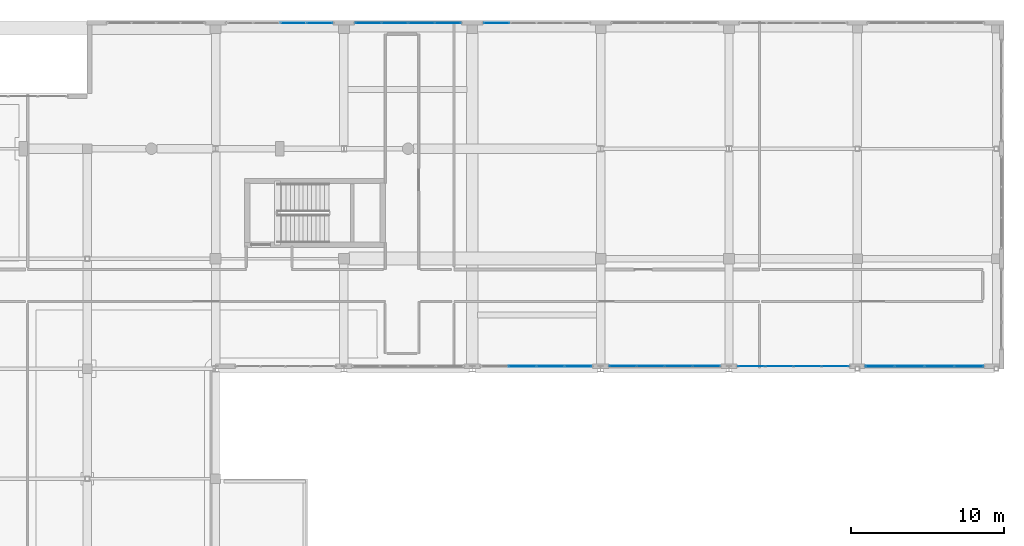
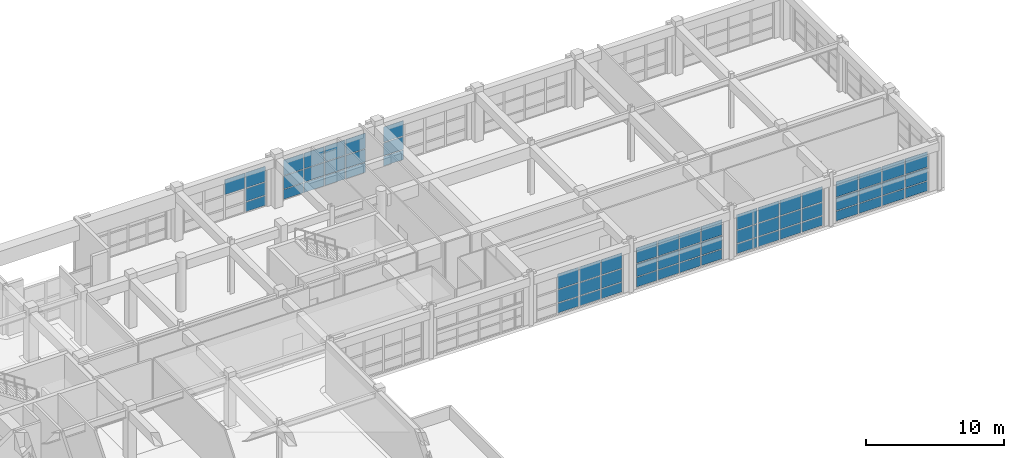
# One storey, part 97 of 123: 64 plates, 7 elements without a shape of their own.
"""IFC4 building model written with IfcOpenShell, lengths in metres."""

from ifc_helpers import new_model, si_unit, direction, frame, origin, origin_2d, place, context, subcontext, project, spatial, rectangle, extrude, material, layer, layer_set, type_object, element, aggregate, save


model = new_model("IFC4")

# Units and contexts
model_context = context("Model", 3, precision=1e-05, world=origin(), true_north=direction((0.0, 1.0)))
body_context = subcontext(model_context, "Body", "Model", "MODEL_VIEW")
ifc_project = project(units=[si_unit("LENGTHUNIT", "METRE"), si_unit("AREAUNIT", "SQUARE_METRE"), si_unit("VOLUMEUNIT", "CUBIC_METRE"), si_unit("PLANEANGLEUNIT", "RADIAN"), si_unit("MASSUNIT", "GRAM", prefix="KILO")], contexts=[model_context])

# Site, building, storey
site_placement = place(None, origin())
site = spatial("IfcSite", under=ifc_project, at=site_placement, CompositionType="ELEMENT")
building_placement = place(site_placement, origin())
building = spatial("IfcBuilding", under=site, at=building_placement, Name="Quendrovan Civic Courthouse", CompositionType="ELEMENT")
storey_placement = place(building_placement, frame((0.0, 0.0, 5.39990234375)))
storey = spatial("IfcBuildingStorey", under=building, at=storey_placement, Name="L02", CompositionType="ELEMENT", Elevation=5.39990234375)

# Curtain wall, plates
ifc_material_1 = material(Name="Bronze anodised aluminium and low-E glass", Category="aluminium")
ifc_layer_1 = layer(ifc_material_1, 0.179931640625, Name="Bronze anodised aluminium and low-E glass")
ifc_layer_set_1 = layer_set([ifc_layer_1], Name="Bronze anodised aluminium and low-E glass")
curtain_wall_type_1 = type_object("IfcCurtainWallType", Name="CW-U70x36", PredefinedType="USERDEFINED", material=ifc_layer_set_1)
curtain_wall_1_placement = place(storey_placement, origin())
curtain_wall_1 = element("IfcCurtainWall", 1, at=curtain_wall_1_placement, inside=storey, type_object=curtain_wall_type_1, Name="L02 Unitised Hurricane Curtain Wall CW-092", ObjectType="UNITISED CURTAIN WALL", PredefinedType="USERDEFINED")
ifc_material_2 = material(Name="Laminated hurricane-impact low-E glass", Category="glass")
ifc_layer_2 = layer(ifc_material_2, 0.028076171875, Name="Laminated hurricane-impact low-E glass")
ifc_layer_set_2 = layer_set([ifc_layer_2], Name="Laminated hurricane-impact low-E glass")
plate_type_1 = type_object("IfcPlateType", Name="CW-PNL-1", PredefinedType="CURTAIN_PANEL", material=ifc_layer_set_2)
plate_1_placement = place(storey_placement, frame((127.592529296875, 110.235107421875, 0.0703125), z_axis=(0.0, 0.0, 1.0), x_axis=(1.0, 0.0, 0.0)))
plate_1 = element("IfcPlate", 2, at=plate_1_placement, type_object=plate_type_1, Name="CW-092 panel 1.1", PredefinedType="CURTAIN_PANEL", context=body_context, shape_type="SweptSolid", body=[
    extrude(rectangle(XDim=1.64501953125, YDim=0.028076171875, at=origin_2d()), origin(), (0.0, 0.0, 1.0), 0.844970703125),
])
plate_2_placement = place(storey_placement, frame((127.592529296875, 110.235107421875, 0.985107421875), z_axis=(0.0, 0.0, 1.0), x_axis=(1.0, 0.0, 0.0)))
plate_2 = element("IfcPlate", 3, at=plate_2_placement, type_object=plate_type_1, Name="CW-092 panel 1.2", PredefinedType="CURTAIN_PANEL", context=body_context, shape_type="SweptSolid", body=[
    extrude(rectangle(XDim=1.64501953125, YDim=0.028076171875, at=origin_2d()), origin(), (0.0, 0.0, 1.0), 1.1298828125),
])
plate_3_placement = place(storey_placement, frame((127.592529296875, 110.235107421875, 2.18505859375), z_axis=(0.0, 0.0, 1.0), x_axis=(1.0, 0.0, 0.0)))
plate_3 = element("IfcPlate", 4, at=plate_3_placement, type_object=plate_type_1, Name="CW-092 panel 1.3", PredefinedType="CURTAIN_PANEL", context=body_context, shape_type="SweptSolid", body=[
    extrude(rectangle(XDim=1.64501953125, YDim=0.028076171875, at=origin_2d()), origin(), (0.0, 0.0, 1.0), 1.344970703125),
])
aggregate(curtain_wall_1, [plate_1, plate_2, plate_3])

ifc_layer_3 = layer(ifc_material_1, 0.179931640625, Name="Bronze anodised aluminium and low-E glass")
ifc_layer_set_3 = layer_set([ifc_layer_3], Name="Bronze anodised aluminium and low-E glass")
curtain_wall_type_2 = type_object("IfcCurtainWallType", Name="CW-U74x36", PredefinedType="USERDEFINED", material=ifc_layer_set_3)
curtain_wall_2_placement = place(storey_placement, origin())
curtain_wall_2 = element("IfcCurtainWall", 5, at=curtain_wall_2_placement, inside=storey, type_object=curtain_wall_type_2, Name="L02 Unitised Hurricane Curtain Wall CW-100", ObjectType="UNITISED CURTAIN WALL", PredefinedType="USERDEFINED")
plate_4_placement = place(storey_placement, frame((149.76220703125, 87.764892578125, 0.0703125), z_axis=(0.0, 0.0, 1.0), x_axis=(-1.0, 0.0, 0.0)))
plate_4 = element("IfcPlate", 6, at=plate_4_placement, type_object=plate_type_1, Name="CW-100 panel 1.1", PredefinedType="CURTAIN_PANEL", context=body_context, shape_type="SweptSolid", body=[
    extrude(rectangle(XDim=1.73583984375, YDim=0.028076171875, at=origin_2d()), origin(), (0.0, 0.0, 1.0), 0.844970703125),
])
plate_5_placement = place(storey_placement, frame((149.76220703125, 87.764892578125, 0.985107421875), z_axis=(0.0, 0.0, 1.0), x_axis=(-1.0, 0.0, 0.0)))
plate_5 = element("IfcPlate", 7, at=plate_5_placement, type_object=plate_type_1, Name="CW-100 panel 1.2", PredefinedType="CURTAIN_PANEL", context=body_context, shape_type="SweptSolid", body=[
    extrude(rectangle(XDim=1.73583984375, YDim=0.028076171875, at=origin_2d()), origin(), (0.0, 0.0, 1.0), 1.1298828125),
])
plate_6_placement = place(storey_placement, frame((149.76220703125, 87.764892578125, 2.18505859375), z_axis=(0.0, 0.0, 1.0), x_axis=(-1.0, 0.0, 0.0)))
plate_6 = element("IfcPlate", 8, at=plate_6_placement, type_object=plate_type_1, Name="CW-100 panel 1.3", PredefinedType="CURTAIN_PANEL", context=body_context, shape_type="SweptSolid", body=[
    extrude(rectangle(XDim=1.73583984375, YDim=0.028076171875, at=origin_2d()), origin(), (0.0, 0.0, 1.0), 1.344970703125),
])
plate_7_placement = place(storey_placement, frame((147.93896484375, 87.764892578125, 0.0703125), z_axis=(0.0, 0.0, 1.0), x_axis=(-1.0, 0.0, 0.0)))
plate_7 = element("IfcPlate", 9, at=plate_7_placement, type_object=plate_type_1, Name="CW-100 panel 2.1", PredefinedType="CURTAIN_PANEL", context=body_context, shape_type="SweptSolid", body=[
    extrude(rectangle(XDim=1.770751953125, YDim=0.028076171875, at=origin_2d()), origin(), (0.0, 0.0, 1.0), 0.844970703125),
])
plate_8_placement = place(storey_placement, frame((147.93896484375, 87.764892578125, 0.985107421875), z_axis=(0.0, 0.0, 1.0), x_axis=(-1.0, 0.0, 0.0)))
plate_8 = element("IfcPlate", 10, at=plate_8_placement, type_object=plate_type_1, Name="CW-100 panel 2.2", PredefinedType="CURTAIN_PANEL", context=body_context, shape_type="SweptSolid", body=[
    extrude(rectangle(XDim=1.770751953125, YDim=0.028076171875, at=origin_2d()), origin(), (0.0, 0.0, 1.0), 1.1298828125),
])
plate_9_placement = place(storey_placement, frame((147.93896484375, 87.764892578125, 2.18505859375), z_axis=(0.0, 0.0, 1.0), x_axis=(-1.0, 0.0, 0.0)))
plate_9 = element("IfcPlate", 11, at=plate_9_placement, type_object=plate_type_1, Name="CW-100 panel 2.3", PredefinedType="CURTAIN_PANEL", context=body_context, shape_type="SweptSolid", body=[
    extrude(rectangle(XDim=1.770751953125, YDim=0.028076171875, at=origin_2d()), origin(), (0.0, 0.0, 1.0), 1.344970703125),
])
plate_10_placement = place(storey_placement, frame((146.09814453125, 87.764892578125, 0.0703125), z_axis=(0.0, 0.0, 1.0), x_axis=(-1.0, 0.0, 0.0)))
plate_10 = element("IfcPlate", 12, at=plate_10_placement, type_object=plate_type_1, Name="CW-100 panel 3.1", PredefinedType="CURTAIN_PANEL", context=body_context, shape_type="SweptSolid", body=[
    extrude(rectangle(XDim=1.770751953125, YDim=0.028076171875, at=origin_2d()), origin(), (0.0, 0.0, 1.0), 0.844970703125),
])
plate_11_placement = place(storey_placement, frame((146.09814453125, 87.764892578125, 0.985107421875), z_axis=(0.0, 0.0, 1.0), x_axis=(-1.0, 0.0, 0.0)))
plate_11 = element("IfcPlate", 13, at=plate_11_placement, type_object=plate_type_1, Name="CW-100 panel 3.2", PredefinedType="CURTAIN_PANEL", context=body_context, shape_type="SweptSolid", body=[
    extrude(rectangle(XDim=1.770751953125, YDim=0.028076171875, at=origin_2d()), origin(), (0.0, 0.0, 1.0), 1.1298828125),
])
plate_12_placement = place(storey_placement, frame((146.09814453125, 87.764892578125, 2.18505859375), z_axis=(0.0, 0.0, 1.0), x_axis=(-1.0, 0.0, 0.0)))
plate_12 = element("IfcPlate", 14, at=plate_12_placement, type_object=plate_type_1, Name="CW-100 panel 3.3", PredefinedType="CURTAIN_PANEL", context=body_context, shape_type="SweptSolid", body=[
    extrude(rectangle(XDim=1.770751953125, YDim=0.028076171875, at=origin_2d()), origin(), (0.0, 0.0, 1.0), 1.344970703125),
])
plate_13_placement = place(storey_placement, frame((144.27490234375, 87.764892578125, 0.0703125), z_axis=(0.0, 0.0, 1.0), x_axis=(-1.0, 0.0, 0.0)))
plate_13 = element("IfcPlate", 15, at=plate_13_placement, type_object=plate_type_1, Name="CW-100 panel 4.1", PredefinedType="CURTAIN_PANEL", context=body_context, shape_type="SweptSolid", body=[
    extrude(rectangle(XDim=1.73583984375, YDim=0.028076171875, at=origin_2d()), origin(), (0.0, 0.0, 1.0), 0.844970703125),
])
plate_14_placement = place(storey_placement, frame((144.27490234375, 87.764892578125, 0.985107421875), z_axis=(0.0, 0.0, 1.0), x_axis=(-1.0, 0.0, 0.0)))
plate_14 = element("IfcPlate", 16, at=plate_14_placement, type_object=plate_type_1, Name="CW-100 panel 4.2", PredefinedType="CURTAIN_PANEL", context=body_context, shape_type="SweptSolid", body=[
    extrude(rectangle(XDim=1.73583984375, YDim=0.028076171875, at=origin_2d()), origin(), (0.0, 0.0, 1.0), 1.1298828125),
])
plate_15_placement = place(storey_placement, frame((144.27490234375, 87.764892578125, 2.18505859375), z_axis=(0.0, 0.0, 1.0), x_axis=(-1.0, 0.0, 0.0)))
plate_15 = element("IfcPlate", 17, at=plate_15_placement, type_object=plate_type_1, Name="CW-100 panel 4.3", PredefinedType="CURTAIN_PANEL", context=body_context, shape_type="SweptSolid", body=[
    extrude(rectangle(XDim=1.73583984375, YDim=0.028076171875, at=origin_2d()), origin(), (0.0, 0.0, 1.0), 1.344970703125),
])
aggregate(curtain_wall_2, [plate_4, plate_5, plate_6, plate_7, plate_8, plate_9, plate_10, plate_11, plate_12, plate_13, plate_14, plate_15])

ifc_layer_4 = layer(ifc_material_1, 0.179931640625, Name="Bronze anodised aluminium and low-E glass")
ifc_layer_set_4 = layer_set([ifc_layer_4], Name="Bronze anodised aluminium and low-E glass")
curtain_wall_type_3 = type_object("IfcCurtainWallType", Name="CW-U73x36", PredefinedType="USERDEFINED", material=ifc_layer_set_4)
curtain_wall_3_placement = place(storey_placement, origin())
curtain_wall_3 = element("IfcCurtainWall", 18, at=curtain_wall_3_placement, inside=storey, type_object=curtain_wall_type_3, Name="L02 Unitised Hurricane Curtain Wall CW-101", ObjectType="UNITISED CURTAIN WALL", PredefinedType="USERDEFINED")
ifc_layer_5 = layer(ifc_material_2, 0.031982421875, Name="Laminated hurricane-impact low-E glass")
ifc_layer_set_5 = layer_set([ifc_layer_5], Name="Laminated hurricane-impact low-E glass")
plate_type_2 = type_object("IfcPlateType", Name="CW-PNL-2", PredefinedType="CURTAIN_PANEL", material=ifc_layer_set_5)
plate_16_placement = place(storey_placement, frame((141.3310546875, 87.764892578125, 0.065185546875), z_axis=(0.0, 0.0, 1.0), x_axis=(-1.0, 0.0, 0.0)))
plate_16 = element("IfcPlate", 19, at=plate_16_placement, type_object=plate_type_2, Name="CW-101 panel 1.1", PredefinedType="CURTAIN_PANEL", context=body_context, shape_type="SweptSolid", body=[
    extrude(rectangle(XDim=1.73388671875, YDim=0.031982421875, at=origin_2d()), origin(), (0.0, 0.0, 1.0), 0.8525390625),
])
plate_17_placement = place(storey_placement, frame((141.3310546875, 87.764892578125, 0.982421875), z_axis=(0.0, 0.0, 1.0), x_axis=(-1.0, 0.0, 0.0)))
plate_17 = element("IfcPlate", 20, at=plate_17_placement, type_object=plate_type_2, Name="CW-101 panel 1.2", PredefinedType="CURTAIN_PANEL", context=body_context, shape_type="SweptSolid", body=[
    extrude(rectangle(XDim=1.73388671875, YDim=0.031982421875, at=origin_2d()), origin(), (0.0, 0.0, 1.0), 1.135009765625),
])
plate_18_placement = place(storey_placement, frame((141.3310546875, 87.764892578125, 2.1826171875), z_axis=(0.0, 0.0, 1.0), x_axis=(-1.0, 0.0, 0.0)))
plate_18 = element("IfcPlate", 21, at=plate_18_placement, type_object=plate_type_2, Name="CW-101 panel 1.3", PredefinedType="CURTAIN_PANEL", context=body_context, shape_type="SweptSolid", body=[
    extrude(rectangle(XDim=1.73388671875, YDim=0.031982421875, at=origin_2d()), origin(), (0.0, 0.0, 1.0), 1.3525390625),
])
plate_19_placement = place(storey_placement, frame((139.515869140625, 87.764892578125, 0.065185546875), z_axis=(0.0, 0.0, 1.0), x_axis=(-1.0, 0.0, 0.0)))
plate_19 = element("IfcPlate", 22, at=plate_19_placement, type_object=plate_type_2, Name="CW-101 panel 2.1", PredefinedType="CURTAIN_PANEL", context=body_context, shape_type="SweptSolid", body=[
    extrude(rectangle(XDim=1.7666015625, YDim=0.031982421875, at=origin_2d()), origin(), (0.0, 0.0, 1.0), 0.8525390625),
])
plate_20_placement = place(storey_placement, frame((139.515869140625, 87.764892578125, 0.982421875), z_axis=(0.0, 0.0, 1.0), x_axis=(-1.0, 0.0, 0.0)))
plate_20 = element("IfcPlate", 23, at=plate_20_placement, type_object=plate_type_2, Name="CW-101 panel 2.2", PredefinedType="CURTAIN_PANEL", context=body_context, shape_type="SweptSolid", body=[
    extrude(rectangle(XDim=1.7666015625, YDim=0.031982421875, at=origin_2d()), origin(), (0.0, 0.0, 1.0), 1.135009765625),
])
plate_21_placement = place(storey_placement, frame((139.515869140625, 87.764892578125, 2.1826171875), z_axis=(0.0, 0.0, 1.0), x_axis=(-1.0, 0.0, 0.0)))
plate_21 = element("IfcPlate", 24, at=plate_21_placement, type_object=plate_type_2, Name="CW-101 panel 2.3", PredefinedType="CURTAIN_PANEL", context=body_context, shape_type="SweptSolid", body=[
    extrude(rectangle(XDim=1.7666015625, YDim=0.031982421875, at=origin_2d()), origin(), (0.0, 0.0, 1.0), 1.3525390625),
])
plate_22_placement = place(storey_placement, frame((137.684326171875, 87.764892578125, 0.065185546875), z_axis=(0.0, 0.0, 1.0), x_axis=(-1.0, 0.0, 0.0)))
plate_22 = element("IfcPlate", 25, at=plate_22_placement, type_object=plate_type_2, Name="CW-101 panel 3.1", PredefinedType="CURTAIN_PANEL", context=body_context, shape_type="SweptSolid", body=[
    extrude(rectangle(XDim=1.7666015625, YDim=0.031982421875, at=origin_2d()), origin(), (0.0, 0.0, 1.0), 0.8525390625),
])
plate_23_placement = place(storey_placement, frame((137.684326171875, 87.764892578125, 0.982421875), z_axis=(0.0, 0.0, 1.0), x_axis=(-1.0, 0.0, 0.0)))
plate_23 = element("IfcPlate", 26, at=plate_23_placement, type_object=plate_type_2, Name="CW-101 panel 3.2", PredefinedType="CURTAIN_PANEL", context=body_context, shape_type="SweptSolid", body=[
    extrude(rectangle(XDim=1.7666015625, YDim=0.031982421875, at=origin_2d()), origin(), (0.0, 0.0, 1.0), 1.135009765625),
])
plate_24_placement = place(storey_placement, frame((137.684326171875, 87.764892578125, 2.1826171875), z_axis=(0.0, 0.0, 1.0), x_axis=(-1.0, 0.0, 0.0)))
plate_24 = element("IfcPlate", 27, at=plate_24_placement, type_object=plate_type_2, Name="CW-101 panel 3.3", PredefinedType="CURTAIN_PANEL", context=body_context, shape_type="SweptSolid", body=[
    extrude(rectangle(XDim=1.7666015625, YDim=0.031982421875, at=origin_2d()), origin(), (0.0, 0.0, 1.0), 1.3525390625),
])
plate_25_placement = place(storey_placement, frame((135.868896484375, 87.764892578125, 0.065185546875), z_axis=(0.0, 0.0, 1.0), x_axis=(-1.0, 0.0, 0.0)))
plate_25 = element("IfcPlate", 28, at=plate_25_placement, type_object=plate_type_2, Name="CW-101 panel 4.1", PredefinedType="CURTAIN_PANEL", context=body_context, shape_type="SweptSolid", body=[
    extrude(rectangle(XDim=1.73388671875, YDim=0.031982421875, at=origin_2d()), origin(), (0.0, 0.0, 1.0), 0.8525390625),
])
plate_26_placement = place(storey_placement, frame((135.868896484375, 87.764892578125, 0.982421875), z_axis=(0.0, 0.0, 1.0), x_axis=(-1.0, 0.0, 0.0)))
plate_26 = element("IfcPlate", 29, at=plate_26_placement, type_object=plate_type_2, Name="CW-101 panel 4.2", PredefinedType="CURTAIN_PANEL", context=body_context, shape_type="SweptSolid", body=[
    extrude(rectangle(XDim=1.73388671875, YDim=0.031982421875, at=origin_2d()), origin(), (0.0, 0.0, 1.0), 1.135009765625),
])
plate_27_placement = place(storey_placement, frame((135.868896484375, 87.764892578125, 2.1826171875), z_axis=(0.0, 0.0, 1.0), x_axis=(-1.0, 0.0, 0.0)))
plate_27 = element("IfcPlate", 30, at=plate_27_placement, type_object=plate_type_2, Name="CW-101 panel 4.3", PredefinedType="CURTAIN_PANEL", context=body_context, shape_type="SweptSolid", body=[
    extrude(rectangle(XDim=1.73388671875, YDim=0.031982421875, at=origin_2d()), origin(), (0.0, 0.0, 1.0), 1.3525390625),
])
aggregate(curtain_wall_3, [plate_16, plate_17, plate_18, plate_19, plate_20, plate_21, plate_22, plate_23, plate_24, plate_25, plate_26, plate_27])

curtain_wall_4_placement = place(storey_placement, origin())
curtain_wall_4 = element("IfcCurtainWall", 31, at=curtain_wall_4_placement, inside=storey, type_object=curtain_wall_type_1, Name="L02 Unitised Hurricane Curtain Wall CW-090", ObjectType="UNITISED CURTAIN WALL", PredefinedType="USERDEFINED")
ifc_layer_6 = layer(ifc_material_2, 0.035888671875, Name="Laminated hurricane-impact low-E glass")
ifc_layer_set_6 = layer_set([ifc_layer_6], Name="Laminated hurricane-impact low-E glass")
plate_type_3 = type_object("IfcPlateType", Name="CW-PNL-3", PredefinedType="CURTAIN_PANEL", material=ifc_layer_set_6)
plate_28_placement = place(storey_placement, frame((114.27490234375, 110.235107421875, 2.18505859375), z_axis=(0.0, 0.0, 1.0), x_axis=(1.0, 0.0, 0.0)))
plate_28 = element("IfcPlate", 32, at=plate_28_placement, type_object=plate_type_3, Name="CW-090 panel 3.3", PredefinedType="CURTAIN_PANEL", context=body_context, shape_type="SweptSolid", body=[
    extrude(rectangle(XDim=1.679931640625, YDim=0.035888671875, at=origin_2d()), origin(), (0.0, 0.0, 1.0), 1.344970703125),
])
plate_29_placement = place(storey_placement, frame((116.007568359375, 110.235107421875, 0.0703125), z_axis=(0.0, 0.0, 1.0), x_axis=(1.0, 0.0, 0.0)))
plate_29 = element("IfcPlate", 33, at=plate_29_placement, type_object=plate_type_3, Name="CW-090 panel 4.1", PredefinedType="CURTAIN_PANEL", context=body_context, shape_type="SweptSolid", body=[
    extrude(rectangle(XDim=1.64501953125, YDim=0.035888671875, at=origin_2d()), origin(), (0.0, 0.0, 1.0), 0.844970703125),
])
plate_30_placement = place(storey_placement, frame((116.007568359375, 110.235107421875, 0.985107421875), z_axis=(0.0, 0.0, 1.0), x_axis=(1.0, 0.0, 0.0)))
plate_30 = element("IfcPlate", 34, at=plate_30_placement, type_object=plate_type_3, Name="CW-090 panel 4.2", PredefinedType="CURTAIN_PANEL", context=body_context, shape_type="SweptSolid", body=[
    extrude(rectangle(XDim=1.64501953125, YDim=0.035888671875, at=origin_2d()), origin(), (0.0, 0.0, 1.0), 1.1298828125),
])
plate_31_placement = place(storey_placement, frame((116.007568359375, 110.235107421875, 2.18505859375), z_axis=(0.0, 0.0, 1.0), x_axis=(1.0, 0.0, 0.0)))
plate_31 = element("IfcPlate", 35, at=plate_31_placement, type_object=plate_type_3, Name="CW-090 panel 4.3", PredefinedType="CURTAIN_PANEL", context=body_context, shape_type="SweptSolid", body=[
    extrude(rectangle(XDim=1.64501953125, YDim=0.035888671875, at=origin_2d()), origin(), (0.0, 0.0, 1.0), 1.344970703125),
])
aggregate(curtain_wall_4, [plate_28, plate_29, plate_30, plate_31])

curtain_wall_5_placement = place(storey_placement, origin())
curtain_wall_5 = element("IfcCurtainWall", 36, at=curtain_wall_5_placement, inside=storey, type_object=curtain_wall_type_3, Name="L02 Unitised Hurricane Curtain Wall CW-102", ObjectType="UNITISED CURTAIN WALL", PredefinedType="USERDEFINED")
plate_32_placement = place(storey_placement, frame((132.9296875, 87.764892578125, 0.0703125), z_axis=(0.0, 0.0, 1.0), x_axis=(-1.0, 0.0, 0.0)))
plate_32 = element("IfcPlate", 37, at=plate_32_placement, type_object=plate_type_3, Name="CW-102 panel 1.1", PredefinedType="CURTAIN_PANEL", context=body_context, shape_type="SweptSolid", body=[
    extrude(rectangle(XDim=1.7265625, YDim=0.035888671875, at=origin_2d()), origin(), (0.0, 0.0, 1.0), 0.844970703125),
])
plate_33_placement = place(storey_placement, frame((132.9296875, 87.764892578125, 0.985107421875), z_axis=(0.0, 0.0, 1.0), x_axis=(-1.0, 0.0, 0.0)))
plate_33 = element("IfcPlate", 38, at=plate_33_placement, type_object=plate_type_3, Name="CW-102 panel 1.2", PredefinedType="CURTAIN_PANEL", context=body_context, shape_type="SweptSolid", body=[
    extrude(rectangle(XDim=1.7265625, YDim=0.035888671875, at=origin_2d()), origin(), (0.0, 0.0, 1.0), 1.1298828125),
])
plate_34_placement = place(storey_placement, frame((132.9296875, 87.764892578125, 2.18505859375), z_axis=(0.0, 0.0, 1.0), x_axis=(-1.0, 0.0, 0.0)))
plate_34 = element("IfcPlate", 39, at=plate_34_placement, type_object=plate_type_3, Name="CW-102 panel 1.3", PredefinedType="CURTAIN_PANEL", context=body_context, shape_type="SweptSolid", body=[
    extrude(rectangle(XDim=1.7265625, YDim=0.035888671875, at=origin_2d()), origin(), (0.0, 0.0, 1.0), 1.344970703125),
])
plate_35_placement = place(storey_placement, frame((131.11572265625, 87.764892578125, 0.0703125), z_axis=(0.0, 0.0, 1.0), x_axis=(-1.0, 0.0, 0.0)))
plate_35 = element("IfcPlate", 40, at=plate_35_placement, type_object=plate_type_3, Name="CW-102 panel 2.1", PredefinedType="CURTAIN_PANEL", context=body_context, shape_type="SweptSolid", body=[
    extrude(rectangle(XDim=1.761474609375, YDim=0.035888671875, at=origin_2d()), origin(), (0.0, 0.0, 1.0), 0.844970703125),
])
plate_36_placement = place(storey_placement, frame((131.11572265625, 87.764892578125, 0.985107421875), z_axis=(0.0, 0.0, 1.0), x_axis=(-1.0, 0.0, 0.0)))
plate_36 = element("IfcPlate", 41, at=plate_36_placement, type_object=plate_type_3, Name="CW-102 panel 2.2", PredefinedType="CURTAIN_PANEL", context=body_context, shape_type="SweptSolid", body=[
    extrude(rectangle(XDim=1.761474609375, YDim=0.035888671875, at=origin_2d()), origin(), (0.0, 0.0, 1.0), 1.1298828125),
])
plate_37_placement = place(storey_placement, frame((131.11572265625, 87.764892578125, 2.18505859375), z_axis=(0.0, 0.0, 1.0), x_axis=(-1.0, 0.0, 0.0)))
plate_37 = element("IfcPlate", 42, at=plate_37_placement, type_object=plate_type_3, Name="CW-102 panel 2.3", PredefinedType="CURTAIN_PANEL", context=body_context, shape_type="SweptSolid", body=[
    extrude(rectangle(XDim=1.761474609375, YDim=0.035888671875, at=origin_2d()), origin(), (0.0, 0.0, 1.0), 1.344970703125),
])
plate_38_placement = place(storey_placement, frame((129.2841796875, 87.764892578125, 0.0703125), z_axis=(0.0, 0.0, 1.0), x_axis=(-1.0, 0.0, 0.0)))
plate_38 = element("IfcPlate", 43, at=plate_38_placement, type_object=plate_type_3, Name="CW-102 panel 3.1", PredefinedType="CURTAIN_PANEL", context=body_context, shape_type="SweptSolid", body=[
    extrude(rectangle(XDim=1.761474609375, YDim=0.035888671875, at=origin_2d()), origin(), (0.0, 0.0, 1.0), 0.844970703125),
])
plate_39_placement = place(storey_placement, frame((129.2841796875, 87.764892578125, 0.985107421875), z_axis=(0.0, 0.0, 1.0), x_axis=(-1.0, 0.0, 0.0)))
plate_39 = element("IfcPlate", 44, at=plate_39_placement, type_object=plate_type_3, Name="CW-102 panel 3.2", PredefinedType="CURTAIN_PANEL", context=body_context, shape_type="SweptSolid", body=[
    extrude(rectangle(XDim=1.761474609375, YDim=0.035888671875, at=origin_2d()), origin(), (0.0, 0.0, 1.0), 1.1298828125),
])
plate_40_placement = place(storey_placement, frame((129.2841796875, 87.764892578125, 2.18505859375), z_axis=(0.0, 0.0, 1.0), x_axis=(-1.0, 0.0, 0.0)))
plate_40 = element("IfcPlate", 45, at=plate_40_placement, type_object=plate_type_3, Name="CW-102 panel 3.3", PredefinedType="CURTAIN_PANEL", context=body_context, shape_type="SweptSolid", body=[
    extrude(rectangle(XDim=1.761474609375, YDim=0.035888671875, at=origin_2d()), origin(), (0.0, 0.0, 1.0), 1.344970703125),
])
aggregate(curtain_wall_5, [plate_32, plate_33, plate_34, plate_35, plate_36, plate_37, plate_38, plate_39, plate_40])

curtain_wall_6_placement = place(storey_placement, origin())
curtain_wall_6 = element("IfcCurtainWall", 46, at=curtain_wall_6_placement, inside=storey, type_object=curtain_wall_type_1, Name="L02 Unitised Hurricane Curtain Wall CW-091", ObjectType="UNITISED CURTAIN WALL", PredefinedType="USERDEFINED")
ifc_layer_7 = layer(ifc_material_2, 0.0419921875, Name="Laminated hurricane-impact low-E glass")
ifc_layer_set_7 = layer_set([ifc_layer_7], Name="Laminated hurricane-impact low-E glass")
plate_type_4 = type_object("IfcPlateType", Name="CW-PNL-4", PredefinedType="CURTAIN_PANEL", material=ifc_layer_set_7)
plate_41_placement = place(storey_placement, frame((119.191162109375, 110.235107421875, 0.065185546875), z_axis=(0.0, 0.0, 1.0), x_axis=(1.0, 0.0, 0.0)))
plate_41 = element("IfcPlate", 47, at=plate_41_placement, type_object=plate_type_4, Name="CW-091 panel 1.1", PredefinedType="CURTAIN_PANEL", context=body_context, shape_type="SweptSolid", body=[
    extrude(rectangle(XDim=1.652587890625, YDim=0.0419921875, at=origin_2d()), origin(), (0.0, 0.0, 1.0), 0.8525390625),
])
plate_42_placement = place(storey_placement, frame((119.191162109375, 110.235107421875, 0.982421875), z_axis=(0.0, 0.0, 1.0), x_axis=(1.0, 0.0, 0.0)))
plate_42 = element("IfcPlate", 48, at=plate_42_placement, type_object=plate_type_4, Name="CW-091 panel 1.2", PredefinedType="CURTAIN_PANEL", context=body_context, shape_type="SweptSolid", body=[
    extrude(rectangle(XDim=1.652587890625, YDim=0.0419921875, at=origin_2d()), origin(), (0.0, 0.0, 1.0), 1.135009765625),
])
plate_43_placement = place(storey_placement, frame((119.191162109375, 110.235107421875, 2.1826171875), z_axis=(0.0, 0.0, 1.0), x_axis=(1.0, 0.0, 0.0)))
plate_43 = element("IfcPlate", 49, at=plate_43_placement, type_object=plate_type_4, Name="CW-091 panel 1.3", PredefinedType="CURTAIN_PANEL", context=body_context, shape_type="SweptSolid", body=[
    extrude(rectangle(XDim=1.652587890625, YDim=0.0419921875, at=origin_2d()), origin(), (0.0, 0.0, 1.0), 1.3525390625),
])
plate_44_placement = place(storey_placement, frame((120.925048828125, 110.235107421875, 0.065185546875), z_axis=(0.0, 0.0, 1.0), x_axis=(1.0, 0.0, 0.0)))
plate_44 = element("IfcPlate", 50, at=plate_44_placement, type_object=plate_type_4, Name="CW-091 panel 2.1", PredefinedType="CURTAIN_PANEL", context=body_context, shape_type="SweptSolid", body=[
    extrude(rectangle(XDim=1.68505859375, YDim=0.0419921875, at=origin_2d()), origin(), (0.0, 0.0, 1.0), 0.8525390625),
])
plate_45_placement = place(storey_placement, frame((120.925048828125, 110.235107421875, 0.982421875), z_axis=(0.0, 0.0, 1.0), x_axis=(1.0, 0.0, 0.0)))
plate_45 = element("IfcPlate", 51, at=plate_45_placement, type_object=plate_type_4, Name="CW-091 panel 2.2", PredefinedType="CURTAIN_PANEL", context=body_context, shape_type="SweptSolid", body=[
    extrude(rectangle(XDim=1.68505859375, YDim=0.0419921875, at=origin_2d()), origin(), (0.0, 0.0, 1.0), 1.135009765625),
])
plate_46_placement = place(storey_placement, frame((120.925048828125, 110.235107421875, 2.1826171875), z_axis=(0.0, 0.0, 1.0), x_axis=(1.0, 0.0, 0.0)))
plate_46 = element("IfcPlate", 52, at=plate_46_placement, type_object=plate_type_4, Name="CW-091 panel 2.3", PredefinedType="CURTAIN_PANEL", context=body_context, shape_type="SweptSolid", body=[
    extrude(rectangle(XDim=1.68505859375, YDim=0.0419921875, at=origin_2d()), origin(), (0.0, 0.0, 1.0), 1.3525390625),
])
plate_47_placement = place(storey_placement, frame((122.675048828125, 110.235107421875, 0.065185546875), z_axis=(0.0, 0.0, 1.0), x_axis=(1.0, 0.0, 0.0)))
plate_47 = element("IfcPlate", 53, at=plate_47_placement, type_object=plate_type_4, Name="CW-091 panel 3.1", PredefinedType="CURTAIN_PANEL", context=body_context, shape_type="SweptSolid", body=[
    extrude(rectangle(XDim=1.68505859375, YDim=0.0419921875, at=origin_2d()), origin(), (0.0, 0.0, 1.0), 0.8525390625),
])
plate_48_placement = place(storey_placement, frame((122.675048828125, 110.235107421875, 0.982421875), z_axis=(0.0, 0.0, 1.0), x_axis=(1.0, 0.0, 0.0)))
plate_48 = element("IfcPlate", 54, at=plate_48_placement, type_object=plate_type_4, Name="CW-091 panel 3.2", PredefinedType="CURTAIN_PANEL", context=body_context, shape_type="SweptSolid", body=[
    extrude(rectangle(XDim=1.68505859375, YDim=0.0419921875, at=origin_2d()), origin(), (0.0, 0.0, 1.0), 1.135009765625),
])
plate_49_placement = place(storey_placement, frame((122.675048828125, 110.235107421875, 2.1826171875), z_axis=(0.0, 0.0, 1.0), x_axis=(1.0, 0.0, 0.0)))
plate_49 = element("IfcPlate", 55, at=plate_49_placement, type_object=plate_type_4, Name="CW-091 panel 3.3", PredefinedType="CURTAIN_PANEL", context=body_context, shape_type="SweptSolid", body=[
    extrude(rectangle(XDim=1.68505859375, YDim=0.0419921875, at=origin_2d()), origin(), (0.0, 0.0, 1.0), 1.3525390625),
])
plate_50_placement = place(storey_placement, frame((124.40869140625, 110.235107421875, 0.065185546875), z_axis=(0.0, 0.0, 1.0), x_axis=(1.0, 0.0, 0.0)))
plate_50 = element("IfcPlate", 56, at=plate_50_placement, type_object=plate_type_4, Name="CW-091 panel 4.1", PredefinedType="CURTAIN_PANEL", context=body_context, shape_type="SweptSolid", body=[
    extrude(rectangle(XDim=1.652587890625, YDim=0.0419921875, at=origin_2d()), origin(), (0.0, 0.0, 1.0), 0.8525390625),
])
plate_51_placement = place(storey_placement, frame((124.40869140625, 110.235107421875, 0.982421875), z_axis=(0.0, 0.0, 1.0), x_axis=(1.0, 0.0, 0.0)))
plate_51 = element("IfcPlate", 57, at=plate_51_placement, type_object=plate_type_4, Name="CW-091 panel 4.2", PredefinedType="CURTAIN_PANEL", context=body_context, shape_type="SweptSolid", body=[
    extrude(rectangle(XDim=1.652587890625, YDim=0.0419921875, at=origin_2d()), origin(), (0.0, 0.0, 1.0), 1.135009765625),
])
plate_52_placement = place(storey_placement, frame((124.40869140625, 110.235107421875, 2.1826171875), z_axis=(0.0, 0.0, 1.0), x_axis=(1.0, 0.0, 0.0)))
plate_52 = element("IfcPlate", 58, at=plate_52_placement, type_object=plate_type_4, Name="CW-091 panel 4.3", PredefinedType="CURTAIN_PANEL", context=body_context, shape_type="SweptSolid", body=[
    extrude(rectangle(XDim=1.652587890625, YDim=0.0419921875, at=origin_2d()), origin(), (0.0, 0.0, 1.0), 1.3525390625),
])
aggregate(curtain_wall_6, [plate_41, plate_42, plate_43, plate_44, plate_45, plate_46, plate_47, plate_48, plate_49, plate_50, plate_51, plate_52])

ifc_layer_8 = layer(ifc_material_1, 0.179931640625, Name="Bronze anodised aluminium and low-E glass")
ifc_layer_set_8 = layer_set([ifc_layer_8], Name="Bronze anodised aluminium and low-E glass")
curtain_wall_type_4 = type_object("IfcCurtainWallType", Name="CW-U78x36", PredefinedType="USERDEFINED", material=ifc_layer_set_8)
curtain_wall_7_placement = place(storey_placement, origin())
curtain_wall_7 = element("IfcCurtainWall", 59, at=curtain_wall_7_placement, inside=storey, type_object=curtain_wall_type_4, Name="L02 Unitised Hurricane Curtain Wall CW-099", ObjectType="UNITISED CURTAIN WALL", PredefinedType="USERDEFINED")
plate_53_placement = place(storey_placement, frame((158.5087890625, 87.764892578125, 0.065185546875), z_axis=(0.0, 0.0, 1.0), x_axis=(-1.0, 0.0, 0.0)))
plate_53 = element("IfcPlate", 60, at=plate_53_placement, type_object=plate_type_4, Name="CW-099 panel 1.1", PredefinedType="CURTAIN_PANEL", context=body_context, shape_type="SweptSolid", body=[
    extrude(rectangle(XDim=1.8525390625, YDim=0.0419921875, at=origin_2d()), origin(), (0.0, 0.0, 1.0), 0.8525390625),
])
plate_54_placement = place(storey_placement, frame((158.5087890625, 87.764892578125, 0.982421875), z_axis=(0.0, 0.0, 1.0), x_axis=(-1.0, 0.0, 0.0)))
plate_54 = element("IfcPlate", 61, at=plate_54_placement, type_object=plate_type_4, Name="CW-099 panel 1.2", PredefinedType="CURTAIN_PANEL", context=body_context, shape_type="SweptSolid", body=[
    extrude(rectangle(XDim=1.8525390625, YDim=0.0419921875, at=origin_2d()), origin(), (0.0, 0.0, 1.0), 1.135009765625),
])
plate_55_placement = place(storey_placement, frame((158.5087890625, 87.764892578125, 2.1826171875), z_axis=(0.0, 0.0, 1.0), x_axis=(-1.0, 0.0, 0.0)))
plate_55 = element("IfcPlate", 62, at=plate_55_placement, type_object=plate_type_4, Name="CW-099 panel 1.3", PredefinedType="CURTAIN_PANEL", context=body_context, shape_type="SweptSolid", body=[
    extrude(rectangle(XDim=1.8525390625, YDim=0.0419921875, at=origin_2d()), origin(), (0.0, 0.0, 1.0), 1.3525390625),
])
plate_56_placement = place(storey_placement, frame((156.574951171875, 87.764892578125, 0.065185546875), z_axis=(0.0, 0.0, 1.0), x_axis=(-1.0, 0.0, 0.0)))
plate_56 = element("IfcPlate", 63, at=plate_56_placement, type_object=plate_type_4, Name="CW-099 panel 2.1", PredefinedType="CURTAIN_PANEL", context=body_context, shape_type="SweptSolid", body=[
    extrude(rectangle(XDim=1.885009765625, YDim=0.0419921875, at=origin_2d()), origin(), (0.0, 0.0, 1.0), 0.8525390625),
])
plate_57_placement = place(storey_placement, frame((156.574951171875, 87.764892578125, 0.982421875), z_axis=(0.0, 0.0, 1.0), x_axis=(-1.0, 0.0, 0.0)))
plate_57 = element("IfcPlate", 64, at=plate_57_placement, type_object=plate_type_4, Name="CW-099 panel 2.2", PredefinedType="CURTAIN_PANEL", context=body_context, shape_type="SweptSolid", body=[
    extrude(rectangle(XDim=1.885009765625, YDim=0.0419921875, at=origin_2d()), origin(), (0.0, 0.0, 1.0), 1.135009765625),
])
plate_58_placement = place(storey_placement, frame((156.574951171875, 87.764892578125, 2.1826171875), z_axis=(0.0, 0.0, 1.0), x_axis=(-1.0, 0.0, 0.0)))
plate_58 = element("IfcPlate", 65, at=plate_58_placement, type_object=plate_type_4, Name="CW-099 panel 2.3", PredefinedType="CURTAIN_PANEL", context=body_context, shape_type="SweptSolid", body=[
    extrude(rectangle(XDim=1.885009765625, YDim=0.0419921875, at=origin_2d()), origin(), (0.0, 0.0, 1.0), 1.3525390625),
])
plate_59_placement = place(storey_placement, frame((154.625, 87.764892578125, 0.065185546875), z_axis=(0.0, 0.0, 1.0), x_axis=(-1.0, 0.0, 0.0)))
plate_59 = element("IfcPlate", 66, at=plate_59_placement, type_object=plate_type_4, Name="CW-099 panel 3.1", PredefinedType="CURTAIN_PANEL", context=body_context, shape_type="SweptSolid", body=[
    extrude(rectangle(XDim=1.885009765625, YDim=0.0419921875, at=origin_2d()), origin(), (0.0, 0.0, 1.0), 0.8525390625),
])
plate_60_placement = place(storey_placement, frame((154.625, 87.764892578125, 0.982421875), z_axis=(0.0, 0.0, 1.0), x_axis=(-1.0, 0.0, 0.0)))
plate_60 = element("IfcPlate", 67, at=plate_60_placement, type_object=plate_type_4, Name="CW-099 panel 3.2", PredefinedType="CURTAIN_PANEL", context=body_context, shape_type="SweptSolid", body=[
    extrude(rectangle(XDim=1.885009765625, YDim=0.0419921875, at=origin_2d()), origin(), (0.0, 0.0, 1.0), 1.135009765625),
])
plate_61_placement = place(storey_placement, frame((154.625, 87.764892578125, 2.1826171875), z_axis=(0.0, 0.0, 1.0), x_axis=(-1.0, 0.0, 0.0)))
plate_61 = element("IfcPlate", 68, at=plate_61_placement, type_object=plate_type_4, Name="CW-099 panel 3.3", PredefinedType="CURTAIN_PANEL", context=body_context, shape_type="SweptSolid", body=[
    extrude(rectangle(XDim=1.885009765625, YDim=0.0419921875, at=origin_2d()), origin(), (0.0, 0.0, 1.0), 1.3525390625),
])
plate_62_placement = place(storey_placement, frame((152.691162109375, 87.764892578125, 0.065185546875), z_axis=(0.0, 0.0, 1.0), x_axis=(-1.0, 0.0, 0.0)))
plate_62 = element("IfcPlate", 69, at=plate_62_placement, type_object=plate_type_4, Name="CW-099 panel 4.1", PredefinedType="CURTAIN_PANEL", context=body_context, shape_type="SweptSolid", body=[
    extrude(rectangle(XDim=1.8525390625, YDim=0.0419921875, at=origin_2d()), origin(), (0.0, 0.0, 1.0), 0.8525390625),
])
plate_63_placement = place(storey_placement, frame((152.691162109375, 87.764892578125, 0.982421875), z_axis=(0.0, 0.0, 1.0), x_axis=(-1.0, 0.0, 0.0)))
plate_63 = element("IfcPlate", 70, at=plate_63_placement, type_object=plate_type_4, Name="CW-099 panel 4.2", PredefinedType="CURTAIN_PANEL", context=body_context, shape_type="SweptSolid", body=[
    extrude(rectangle(XDim=1.8525390625, YDim=0.0419921875, at=origin_2d()), origin(), (0.0, 0.0, 1.0), 1.135009765625),
])
plate_64_placement = place(storey_placement, frame((152.691162109375, 87.764892578125, 2.1826171875), z_axis=(0.0, 0.0, 1.0), x_axis=(-1.0, 0.0, 0.0)))
plate_64 = element("IfcPlate", 71, at=plate_64_placement, type_object=plate_type_4, Name="CW-099 panel 4.3", PredefinedType="CURTAIN_PANEL", context=body_context, shape_type="SweptSolid", body=[
    extrude(rectangle(XDim=1.8525390625, YDim=0.0419921875, at=origin_2d()), origin(), (0.0, 0.0, 1.0), 1.3525390625),
])
aggregate(curtain_wall_7, [plate_53, plate_54, plate_55, plate_56, plate_57, plate_58, plate_59, plate_60, plate_61, plate_62, plate_63, plate_64])

save(model, "model.ifc")
